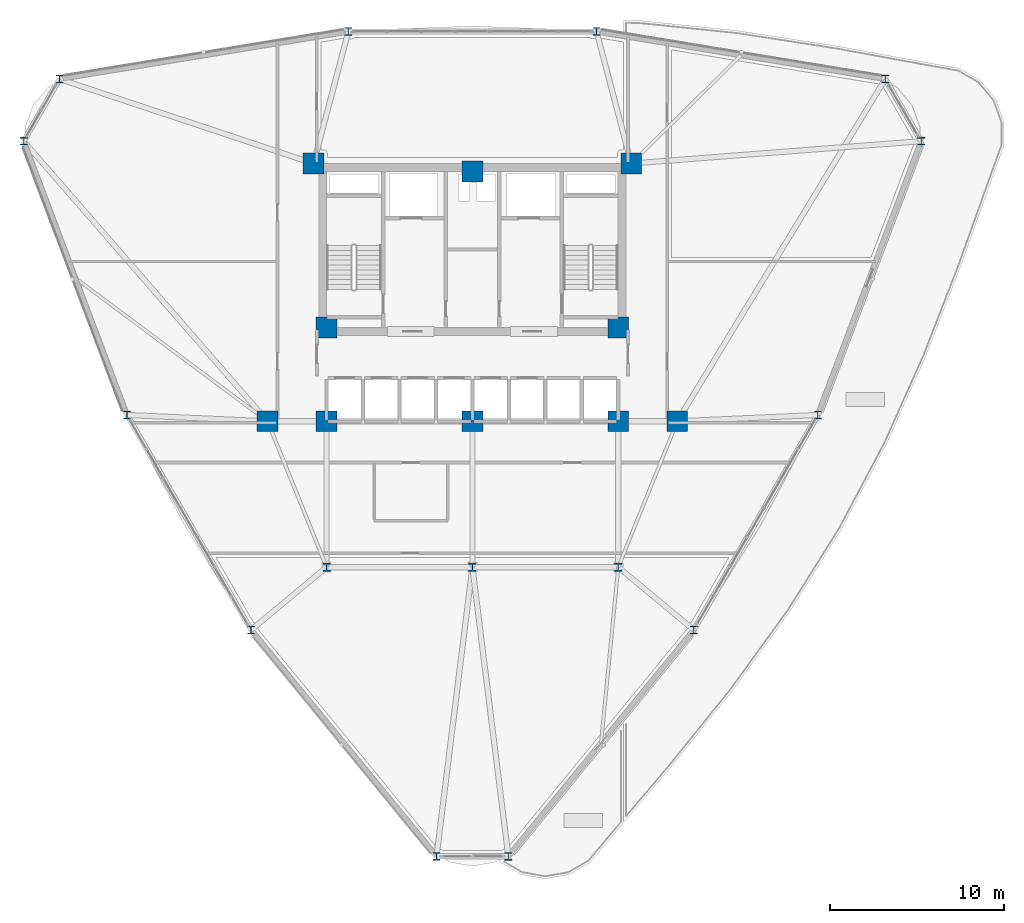
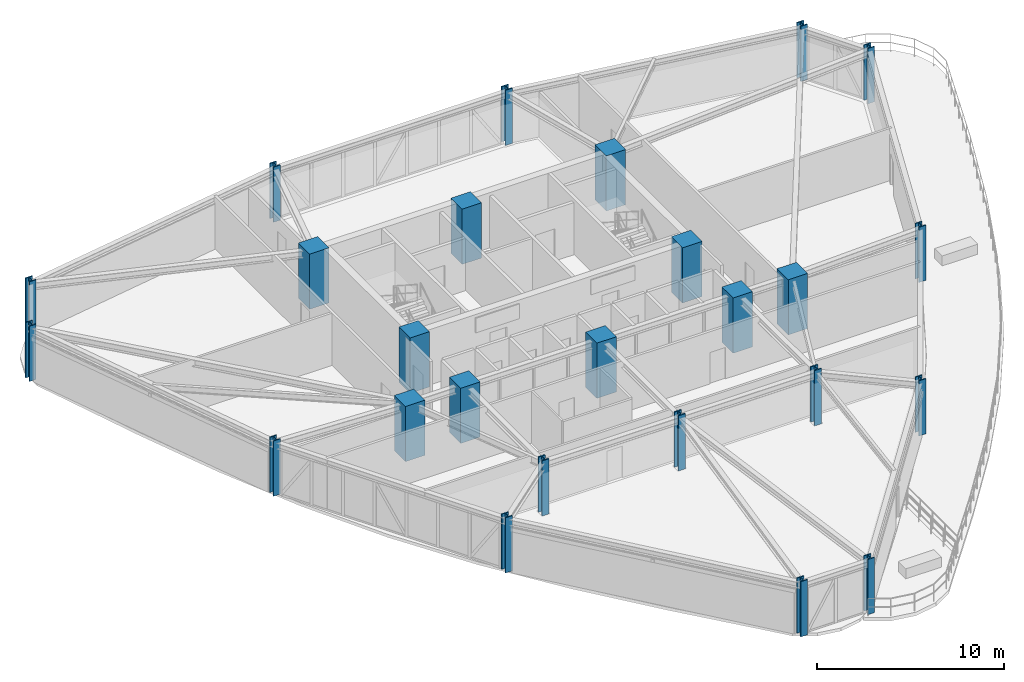
# One storey, part 1 of 23: 25 columns.
"""IFC4 building model written with IfcOpenShell, lengths in metres."""

from ifc_helpers import new_model, si_unit, derived_unit, direction, frame, origin, origin_2d, place, context, subcontext, project, spatial, rectangle, i_section, extrude, source, transform, mapped, material, material_profile, profile_set, type_object, element, save


model = new_model("IFC4")

# Units and contexts
model_context = context("Model", 3, precision=1e-05, world=origin(), true_north=direction((0.0, 1.0)))
body_context = subcontext(model_context, "Body", "Model", "MODEL_VIEW")
ifc_project = project(units=[si_unit("LENGTHUNIT", "METRE"), si_unit("AREAUNIT", "SQUARE_METRE"), si_unit("VOLUMEUNIT", "CUBIC_METRE"), si_unit("PLANEANGLEUNIT", "RADIAN"), si_unit("MASSUNIT", "GRAM", prefix="KILO"), derived_unit("THERMALTRANSMITTANCEUNIT", [(si_unit("POWERUNIT", "WATT"), 1), (si_unit("LENGTHUNIT", "METRE"), -2), (si_unit("THERMODYNAMICTEMPERATUREUNIT", "KELVIN"), -1)])], contexts=[model_context])

# Site, building, storey
site_placement = place(None, origin())
site = spatial("IfcSite", under=ifc_project, at=site_placement, CompositionType="ELEMENT")
building_placement = place(site_placement, origin())
building = spatial("IfcBuilding", under=site, at=building_placement, Name="Korsvarv Bourse and Concert Hall", CompositionType="ELEMENT")
storey_placement = place(building_placement, frame((0.0, 0.0, 99.0)))
storey = spatial("IfcBuildingStorey", under=building, at=storey_placement, Name="L24", CompositionType="ELEMENT", Elevation=99.0)

# Columns
ifc_material_1 = material(Name="Concrete C60/75", Category="concrete")
ifc_material_profile_1 = material_profile(ifc_material_1, rectangle(XDim=1.199951171875, YDim=1.199951171875, at=origin_2d()), Name="RC 1200x1200")
ifc_profile_set_1 = profile_set([ifc_material_profile_1], Name="Concrete C60/75")
column_type_1 = type_object("IfcColumnType", Name="COL-RC1200", PredefinedType="COLUMN", material=ifc_profile_set_1)
shared_shape_1 = source(origin(), body_context, "Body", "SweptSolid", [
    extrude(rectangle(XDim=1.199951171875, YDim=1.199951171875, at=origin_2d()), origin(), (0.0, 0.0, 1.0), 3.60009765625),
])
for number, where, z_axis, x_axis, name in (
    (1, (26.85009765625, 47.25, 0.0), (0.0, 0.0, 1.0), (1.0, 0.0, 0.0), "L24 column C-02"),
    (2, (45.14990234375, 47.25, 0.0), (0.0, 0.0, 1.0), (1.0, 0.0, 0.0), "L24 column C-02"),
    (3, (27.60009765625, 37.800048828125, 0.0), (0.0, 0.0, 1.0), (1.0, 0.0, 0.0), "L24 column C-02"),
    (4, (44.39990234375, 37.800048828125, 0.0), (0.0, 0.0, 1.0), (1.0, 0.0, 0.0), "L24 column C-02"),
    (5, (27.60009765625, 32.39990234375, 0.0), (0.0, 0.0, 1.0), (1.0, 0.0, 0.0), "L24 column C-02"),
    (6, (44.39990234375, 32.39990234375, 0.0), (0.0, 0.0, 1.0), (1.0, 0.0, 0.0), "L24 column C-02"),
    (7, (36.0, 46.800048828125, 0.0), (0.0, 0.0, 1.0), (1.0, 0.0, 0.0), "L24 column C-02"),
    (8, (36.0, 32.39990234375, 0.0), (0.0, 0.0, 1.0), (1.0, 0.0, 0.0), "L24 column C-02"),
    (9, (24.199951171875, 32.39990234375, 0.0), (0.0, 0.0, 1.0), (1.0, 0.0, 0.0), "L24 column C-02"),
    (10, (47.800048828125, 32.39990234375, 0.0), (0.0, 0.0, 1.0), (1.0, 0.0, 0.0), "L24 column C-02"),
):
    element("IfcColumn", number, at=place(storey_placement, frame(where, z_axis=z_axis, x_axis=x_axis)), inside=storey, type_object=column_type_1, Name=name, PredefinedType="COLUMN", context=body_context, shape_type="MappedRepresentation", body=[
        mapped(shared_shape_1, transform((0.0, 0.0, 0.0), scale=1.0)),
    ])
ifc_material_2 = material(Name="Steel S460", Category="steel")
ifc_material_profile_2 = material_profile(ifc_material_2, i_section(OverallWidth=0.424072265625, OverallDepth=0.47412109375, WebThickness=0.044921875, FlangeThickness=0.072021484375, FilletRadius=0.014892578125, at=origin_2d()), Name="HD 400x634")
ifc_profile_set_2 = profile_set([ifc_material_profile_2], Name="Steel S460")
column_type_2 = type_object("IfcColumnType", Name="COL-HD634", PredefinedType="COLUMN", material=ifc_profile_set_2)
shared_shape_2 = source(origin(), body_context, "Body", "SweptSolid", [
    extrude(i_section(OverallWidth=0.424072265625, OverallDepth=0.47412109375, WebThickness=0.044921875, FlangeThickness=0.072021484375, FilletRadius=0.014892578125, at=origin_2d()), origin(), (0.0, 0.0, 1.0), 3.60009765625),
])
for number, where, z_axis, x_axis, name in (
    (11, (27.60009765625, 24.0, 0.0), (0.0, 0.0, 1.0), (1.0, 0.0, 0.0), "L24 column C-07"),
    (12, (44.39990234375, 24.0, 0.0), (0.0, 0.0, 1.0), (1.0, 0.0, 0.0), "L24 column C-07"),
    (13, (36.0, 24.0, 0.0), (0.0, 0.0, 1.0), (1.0, 0.0, 0.0), "L24 column C-07"),
):
    element("IfcColumn", number, at=place(storey_placement, frame(where, z_axis=z_axis, x_axis=x_axis)), inside=storey, type_object=column_type_2, Name=name, PredefinedType="COLUMN", context=body_context, shape_type="MappedRepresentation", body=[
        mapped(shared_shape_2, transform((0.0, 0.0, 0.0), scale=1.0)),
    ])
ifc_material_profile_3 = material_profile(ifc_material_2, i_section(OverallWidth=0.41796875, OverallDepth=0.455078125, WebThickness=0.0390625, FlangeThickness=0.06298828125, FilletRadius=0.014892578125, at=origin_2d()), Name="HD 400x551")
ifc_profile_set_3 = profile_set([ifc_material_profile_3], Name="Steel S460")
column_type_3 = type_object("IfcColumnType", Name="COL-HD551", PredefinedType="COLUMN", material=ifc_profile_set_3)
shared_shape_3 = source(origin(), body_context, "Body", "SweptSolid", [
    extrude(i_section(OverallWidth=0.41796875, OverallDepth=0.455078125, WebThickness=0.0390625, FlangeThickness=0.06298828125, FilletRadius=0.014892578125, at=origin_2d()), origin(), (0.0, 0.0, 1.0), 3.60009765625),
])
for number, where, z_axis, x_axis, name in (
    (14, (61.851318359375, 48.536865234375, 0.0), (0.0, 0.0, 1.0), (1.0, 0.0, 0.0), "L24 column C-08"),
    (15, (59.78271484375, 52.119384765625, 0.0), (0.0, 0.0, 1.0), (1.0, 0.0, 0.0), "L24 column C-08"),
    (16, (43.1494140625, 54.8515625, 0.0), (0.0, 0.0, 1.0), (1.0, 0.0, 0.0), "L24 column C-08"),
    (17, (28.8505859375, 54.8515625, 0.0), (0.0, 0.0, 1.0), (1.0, 0.0, 0.0), "L24 column C-08"),
    (18, (12.21728515625, 52.119384765625, 0.0), (0.0, 0.0, 1.0), (1.0, 0.0, 0.0), "L24 column C-08"),
    (19, (10.148681640625, 48.536865234375, 0.0), (0.0, 0.0, 1.0), (1.0, 0.0, 0.0), "L24 column C-08"),
    (20, (16.099365234375, 32.765869140625, 0.0), (0.0, 0.0, 1.0), (1.0, 0.0, 0.0), "L24 column C-08"),
    (21, (23.248779296875, 20.3828125, 0.0), (0.0, 0.0, 1.0), (1.0, 0.0, 0.0), "L24 column C-08"),
    (22, (33.931640625, 7.34375, 0.0), (0.0, 0.0, 1.0), (1.0, 0.0, 0.0), "L24 column C-08"),
    (23, (38.068359375, 7.34375, 0.0), (0.0, 0.0, 1.0), (1.0, 0.0, 0.0), "L24 column C-08"),
    (24, (48.751220703125, 20.3828125, 0.0), (0.0, 0.0, 1.0), (1.0, 0.0, 0.0), "L24 column C-08"),
    (25, (55.900634765625, 32.765869140625, 0.0), (0.0, 0.0, 1.0), (1.0, 0.0, 0.0), "L24 column C-08"),
):
    element("IfcColumn", number, at=place(storey_placement, frame(where, z_axis=z_axis, x_axis=x_axis)), inside=storey, type_object=column_type_3, Name=name, PredefinedType="COLUMN", context=body_context, shape_type="MappedRepresentation", body=[
        mapped(shared_shape_3, transform((0.0, 0.0, 0.0), scale=1.0)),
    ])

save(model, "model.ifc")
